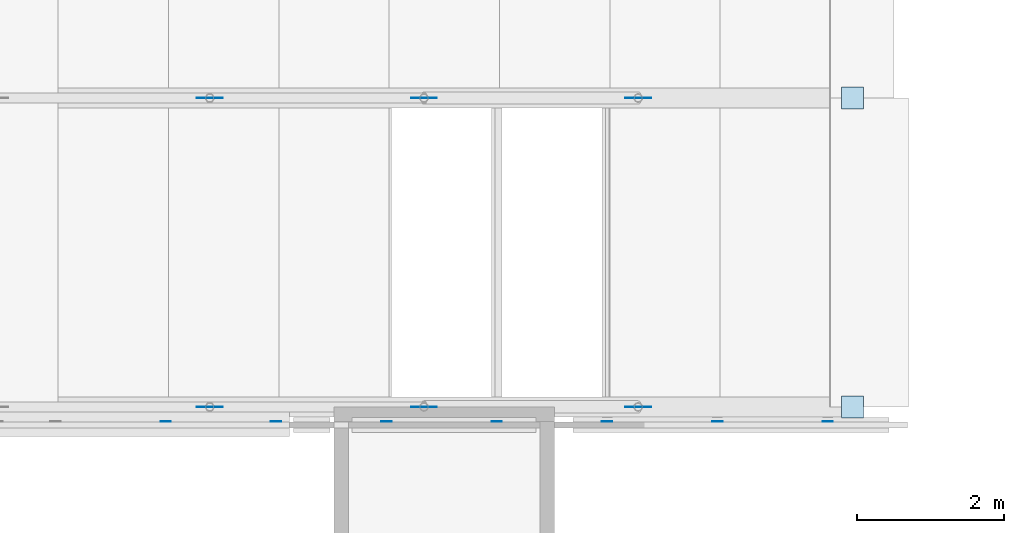
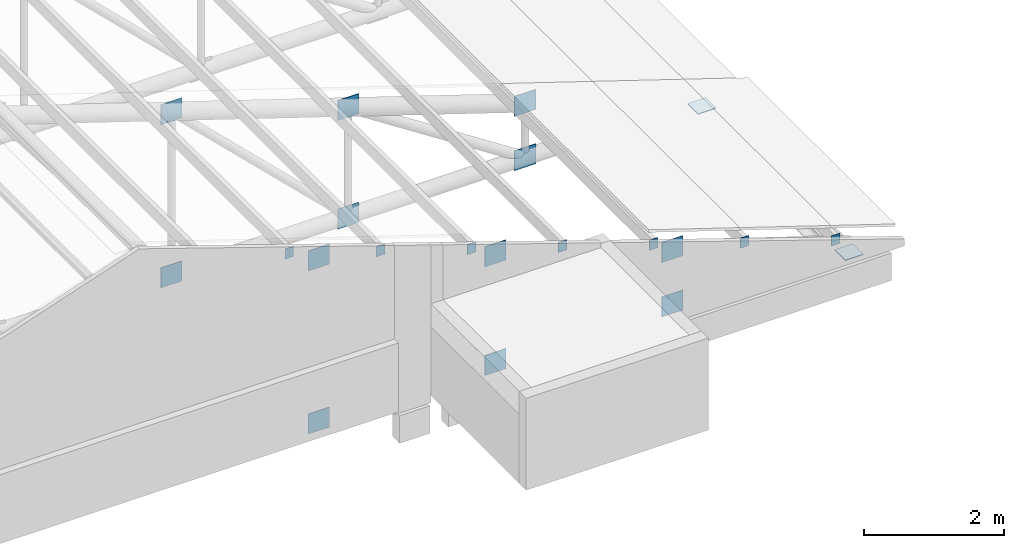
# One storey, part 75 of 95: 21 plates.
"""IFC4 building model written with IfcOpenShell, lengths in metres."""

from ifc_helpers import new_model, si_unit, direction, frame, origin, origin_2d, place, context, subcontext, project, spatial, rectangle, extrude, material, layer, layer_set, type_object, element, save


model = new_model("IFC4")

# Units and contexts
model_context = context("Model", 3, precision=1e-05, world=origin(), true_north=direction((0.0, 1.0)))
body_context = subcontext(model_context, "Body", "Model", "MODEL_VIEW")
ifc_project = project(units=[si_unit("LENGTHUNIT", "METRE"), si_unit("AREAUNIT", "SQUARE_METRE"), si_unit("VOLUMEUNIT", "CUBIC_METRE"), si_unit("PLANEANGLEUNIT", "RADIAN"), si_unit("MASSUNIT", "GRAM", prefix="KILO")], contexts=[model_context])

# Site, building, storey
site_placement = place(None, origin())
site = spatial("IfcSite", under=ifc_project, at=site_placement, CompositionType="ELEMENT")
building_placement = place(site_placement, origin())
building = spatial("IfcBuilding", under=site, at=building_placement, Name="Kiln Court Media Centre", CompositionType="ELEMENT")
storey_placement = place(building_placement, frame((0.0, 0.0, 24.60009765625)))
storey = spatial("IfcBuildingStorey", under=building, at=storey_placement, Name="L05", CompositionType="ELEMENT", Elevation=24.60009765625)

# Plates
ifc_material_1 = material(Name="Steel ASTM A572 Gr 50", Category="steel")
ifc_layer_1 = layer(ifc_material_1, 0.011962890625)
ifc_layer_set_1 = layer_set([ifc_layer_1], Name="Steel ASTM A572 Gr 50 141x12x174 connection plate")
plate_type_1 = type_object("IfcPlateType", Name="Steel ASTM A572 Gr 50 141x12x174 connection plate", PredefinedType="USERDEFINED", material=ifc_layer_set_1)
for number, where, z_axis, x_axis, name in (
    (1, (57.714599609375, 25.00146484375, 0.228515625), (0.0, 0.0, 1.0), (1.0, 0.0, 0.0), "foyer roof east purlin 1 south end connection plate"),
    (2, (56.214599609375, 25.00146484375, 0.7158203125), (0.0, 0.0, 1.0), (1.0, 0.0, 0.0), "foyer roof east purlin 2 south end connection plate"),
    (3, (54.714599609375, 25.00146484375, 1.203125), (0.0, 0.0, 1.0), (1.0, 0.0, 0.0), "foyer roof east purlin 3 south end connection plate"),
    (4, (53.214599609375, 25.00146484375, 1.6904296875), (0.0, 0.0, 1.0), (1.0, 0.0, 0.0), "foyer roof east purlin 4 south end connection plate"),
    (5, (51.714599609375, 25.00146484375, 2.177734375), (0.0, 0.0, 1.0), (1.0, 0.0, 0.0), "foyer roof east purlin 5 south end connection plate"),
    (6, (50.214599609375, 25.00146484375, 2.6650390625), (0.0, 0.0, 1.0), (1.0, 0.0, 0.0), "foyer roof east purlin 6 south end connection plate"),
    (7, (48.714599609375, 25.00146484375, 3.15234375), (0.0, 0.0, 1.0), (1.0, 0.0, 0.0), "foyer roof east purlin 7 south end connection plate"),
):
    element("IfcPlate", number, at=place(storey_placement, frame(where, z_axis=z_axis, x_axis=x_axis)), inside=storey, type_object=plate_type_1, Name=name, ObjectType="CONNECTION PLATE", PredefinedType="USERDEFINED", context=body_context, shape_type="SweptSolid", body=[
        extrude(rectangle(XDim=0.14111328125, YDim=0.011962890625, at=origin_2d()), origin(), (0.0, 0.0, 1.0), 0.174072265625),
    ])
ifc_material_2 = material(Name="Steel ASTM A572 Gr 50", Category="steel")
ifc_layer_2 = layer(ifc_material_2, 0.01611328125)
ifc_layer_set_2 = layer_set([ifc_layer_2], Name="Steel ASTM A572 Gr 50 300x300x16 connection plate")
plate_type_2 = type_object("IfcPlateType", Name="Steel ASTM A572 Gr 50 300x300x16 connection plate", PredefinedType="USERDEFINED", material=ifc_layer_set_2)
for number, where, z_axis, x_axis, name in (
    (8, (58.050048828125, 25.199951171875, -0.152099609375), (0.0, 0.0, 1.0), (1.0, 0.0, 0.0), "foyer truss FT-01 east bearing connection plate"),
    (9, (58.050048828125, 29.39990234375, -0.152099609375), (0.0, 0.0, 1.0), (1.0, 0.0, 0.0), "foyer truss FT-02 east bearing connection plate"),
):
    element("IfcPlate", number, at=place(storey_placement, frame(where, z_axis=z_axis, x_axis=x_axis)), inside=storey, type_object=plate_type_2, Name=name, ObjectType="CONNECTION PLATE", PredefinedType="USERDEFINED", context=body_context, shape_type="SweptSolid", body=[
        extrude(rectangle(XDim=0.300048828125, YDim=0.300048828125, at=origin_2d()), origin(), (0.0, 0.0, 1.0), 0.01611328125),
    ])
ifc_material_3 = material(Name="Steel ASTM A572 Gr 50", Category="steel")
ifc_layer_3 = layer(ifc_material_3, 0.010009765625)
ifc_layer_set_3 = layer_set([ifc_layer_3], Name="Steel ASTM A572 Gr 50 350x350x10 connection plate FT")
plate_type_3 = type_object("IfcPlateType", Name="Steel ASTM A572 Gr 50 350x350x10 connection plate FT", PredefinedType="USERDEFINED", material=ifc_layer_set_3)
for number, where, z_axis, x_axis, name in (
    (10, (49.3125, 25.199951171875, -0.18896484375), (0.0, 0.0, 1.0), (1.0, 0.0, 0.0), "FT node connection plate"),
    (11, (49.3125, 25.199951171875, 2.650146484375), (0.0, 0.0, 1.0), (1.0, 0.0, 0.0), "FT node connection plate"),
    (12, (49.3125, 29.39990234375, -0.18896484375), (0.0, 0.0, 1.0), (1.0, 0.0, 0.0), "FT node connection plate"),
    (13, (49.3125, 29.39990234375, 2.650146484375), (0.0, 0.0, 1.0), (1.0, 0.0, 0.0), "FT node connection plate"),
    (14, (52.22509765625, 25.199951171875, -0.18896484375), (0.0, 0.0, 1.0), (1.0, 0.0, 0.0), "FT node connection plate"),
    (15, (52.22509765625, 25.199951171875, 1.703857421875), (0.0, 0.0, 1.0), (1.0, 0.0, 0.0), "FT node connection plate"),
    (16, (52.22509765625, 29.39990234375, -0.18896484375), (0.0, 0.0, 1.0), (1.0, 0.0, 0.0), "FT node connection plate"),
    (17, (52.22509765625, 29.39990234375, 1.703857421875), (0.0, 0.0, 1.0), (1.0, 0.0, 0.0), "FT node connection plate"),
    (18, (55.137451171875, 25.199951171875, -0.18896484375), (0.0, 0.0, 1.0), (1.0, 0.0, 0.0), "FT node connection plate"),
    (19, (55.137451171875, 25.199951171875, 0.757568359375), (0.0, 0.0, 1.0), (1.0, 0.0, 0.0), "FT node connection plate"),
    (20, (55.137451171875, 29.39990234375, -0.18896484375), (0.0, 0.0, 1.0), (1.0, 0.0, 0.0), "FT node connection plate"),
    (21, (55.137451171875, 29.39990234375, 0.757568359375), (0.0, 0.0, 1.0), (1.0, 0.0, 0.0), "FT node connection plate"),
):
    element("IfcPlate", number, at=place(storey_placement, frame(where, z_axis=z_axis, x_axis=x_axis)), inside=storey, type_object=plate_type_3, Name=name, ObjectType="CONNECTION PLATE", PredefinedType="USERDEFINED", context=body_context, shape_type="SweptSolid", body=[
        extrude(rectangle(XDim=0.35009765625, YDim=0.010009765625, at=origin_2d()), origin(), (0.0, 0.0, 1.0), 0.35009765625),
    ])

save(model, "model.ifc")
